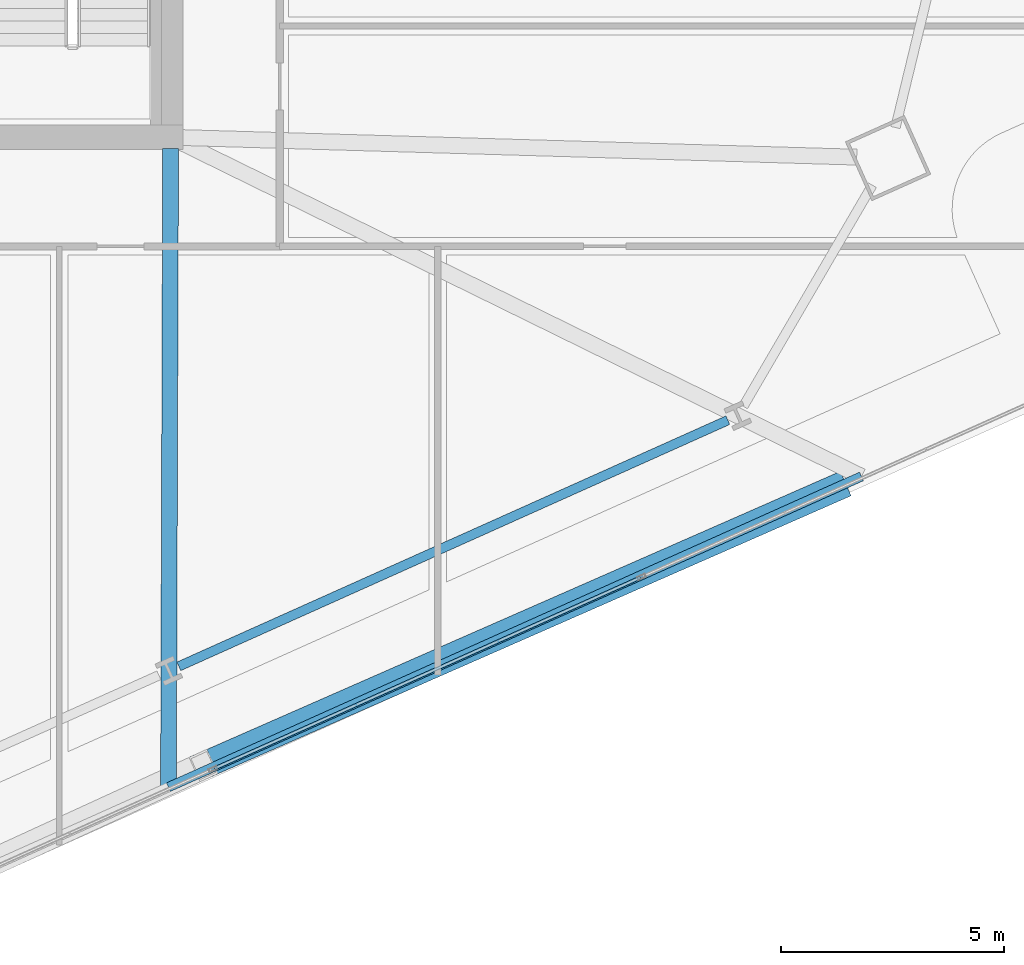
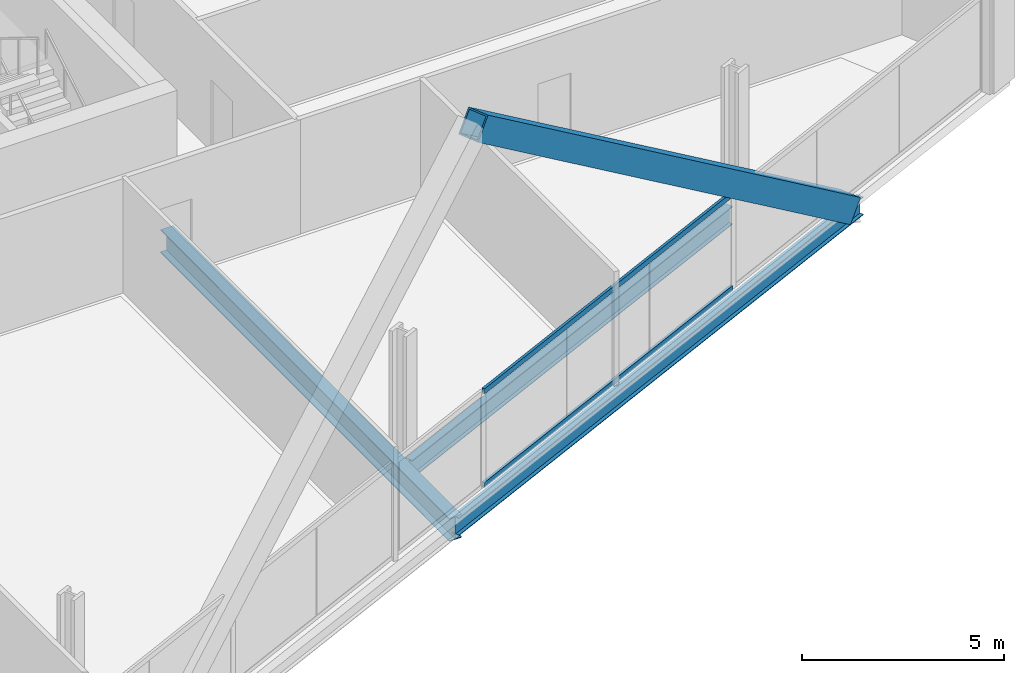
# One storey, part 9 of 38: 3 beams, 3 members, 1 element without a shape of its own.
"""IFC4 building model written with IfcOpenShell, lengths in metres."""

from ifc_helpers import new_model, si_unit, direction, frame, origin, origin_2d, place, context, subcontext, project, spatial, hollow_rectangle, i_section, extrude, material, material_profile, profile_set, type_object, element, aggregate, save


model = new_model("IFC4")

# Units and contexts
model_context = context("Model", 3, precision=1e-05, world=origin(), true_north=direction((0.0, 1.0)))
body_context = subcontext(model_context, "Body", "Model", "MODEL_VIEW")
ifc_project = project(units=[si_unit("LENGTHUNIT", "METRE"), si_unit("AREAUNIT", "SQUARE_METRE"), si_unit("VOLUMEUNIT", "CUBIC_METRE"), si_unit("PLANEANGLEUNIT", "RADIAN"), si_unit("MASSUNIT", "GRAM", prefix="KILO")], contexts=[model_context])

# Site, building, storey
site_placement = place(None, origin())
site = spatial("IfcSite", under=ifc_project, at=site_placement, CompositionType="ELEMENT")
building_placement = place(site_placement, origin())
building = spatial("IfcBuilding", under=site, at=building_placement, Name="Haldenkirk Collegiate Tower", CompositionType="ELEMENT")
storey_placement = place(building_placement, frame((0.0, 0.0, 109.199951171875)))
storey = spatial("IfcBuildingStorey", under=building, at=storey_placement, Name="L26", CompositionType="ELEMENT", Elevation=109.199951171875)

# Beams
ifc_material_1 = material(Name="Steel ASTM A992 Grade 50", Category="steel")
ifc_material_profile_1 = material_profile(ifc_material_1, i_section(OverallWidth=0.35498046875, OverallDepth=0.696044921875, WebThickness=0.015380859375, FlangeThickness=0.02490234375, at=origin_2d()), Name="W27X146")
ifc_profile_set_1 = profile_set([ifc_material_profile_1], Name="Steel ASTM A992 Grade 50")
beam_type_1 = type_object("IfcBeamType", Name="BM-GIRDER-W27X146", PredefinedType="BEAM", material=ifc_profile_set_1)
beam_1_placement = place(storey_placement, frame((44.951171875, 3.404541015625, -0.64794921875), z_axis=(0.003336776398, 0.999994432946, 0.0), x_axis=(-0.999994432946, 0.003336776398, 0.0)))
element("IfcBeam", 1, at=beam_1_placement, inside=storey, type_object=beam_type_1, Name="L26 primary floor girder 06", PredefinedType="BEAM", context=body_context, shape_type="SweptSolid", body=[
    extrude(i_section(OverallWidth=0.35498046875, OverallDepth=0.696044921875, WebThickness=0.015380859375, FlangeThickness=0.02490234375, at=origin_2d()), origin(), (0.0, 0.0, 1.0), 14.340576171875),
])
ifc_material_profile_2 = material_profile(ifc_material_1, i_section(OverallWidth=0.2119140625, OverallDepth=0.5439453125, WebThickness=0.01318359375, FlangeThickness=0.021240234375, at=origin_2d()), Name="W21X83")
ifc_profile_set_2 = profile_set([ifc_material_profile_2], Name="Steel ASTM A992 Grade 50")
beam_type_2 = type_object("IfcBeamType", Name="BM-SPANDREL-W21X83", PredefinedType="SPANDREL", material=ifc_profile_set_2)
beam_2_placement = place(storey_placement, frame((45.183837890625, 6.1171875, -0.572021484375), z_axis=(0.912476765144, 0.409128528793, 0.0), x_axis=(-0.409128528793, 0.912476765144, 0.0)))
element("IfcBeam", 2, at=beam_2_placement, inside=storey, type_object=beam_type_2, Name="L26 perimeter spandrel beam 03", PredefinedType="SPANDREL", context=body_context, shape_type="SweptSolid", body=[
    extrude(i_section(OverallWidth=0.2119140625, OverallDepth=0.5439453125, WebThickness=0.01318359375, FlangeThickness=0.021240234375, at=origin_2d()), origin(), (0.0, 0.0, 1.0), 13.512939453125),
])
beam_3_placement = place(storey_placement, frame((44.951171875, 3.404541015625, -0.572021484375), z_axis=(0.912478001972, 0.409125770292, 0.0), x_axis=(-0.409125770292, 0.912478001972, 0.0)))
element("IfcBeam", 3, at=beam_3_placement, inside=storey, type_object=beam_type_2, Name="L26 outer facade edge beam 1B", PredefinedType="SPANDREL", context=body_context, shape_type="SweptSolid", body=[
    extrude(i_section(OverallWidth=0.2119140625, OverallDepth=0.5439453125, WebThickness=0.01318359375, FlangeThickness=0.021240234375, at=origin_2d()), origin(), (0.0, 0.0, 1.0), 17.056640625),
])

# Curtain wall, members
ifc_material_2 = material(Name="Anodised architectural bronze aluminium", Category="aluminium")
curtain_wall_type = type_object("IfcCurtainWallType", Name="CW-SYS2-CONCAVE", PredefinedType="USERDEFINED", material=ifc_material_2)
curtain_wall_placement = place(storey_placement, origin())
curtain_wall = element("IfcCurtainWall", 4, at=curtain_wall_placement, inside=storey, type_object=curtain_wall_type, Name="L26 South concave recessed bronze-anodised curtain wall", ObjectType="UNITISED CURTAIN WALL", PredefinedType="USERDEFINED")
ifc_material_profile_3 = material_profile(ifc_material_2, hollow_rectangle(XDim=0.074951171875, YDim=0.159912109375, WallThickness=0.0048828125, at=origin_2d()), Name="CW-TRN-02")
ifc_profile_set_3 = profile_set([ifc_material_profile_3], Name="Anodised architectural bronze aluminium")
member_type_1 = type_object("IfcMemberType", Name="CW-TRN-02", PredefinedType="USERDEFINED", material=ifc_profile_set_3)
member_1_placement = place(storey_placement, frame((55.54248046875, 8.109375, 0.03759765625), z_axis=(-0.912478423301, -0.409124830595, 0.0), x_axis=(0.409124830595, -0.912478423301, 0.0)))
member_1 = element("IfcMember", 5, at=member_1_placement, type_object=member_type_1, Name="CW-02 transom 2.1", ObjectType="TRANSOM", PredefinedType="USERDEFINED", context=body_context, shape_type="SweptSolid", body=[
    extrude(hollow_rectangle(XDim=0.074951171875, YDim=0.159912109375, WallThickness=0.0048828125, at=origin_2d()), origin(), (0.0, 0.0, 1.0), 10.47509765625),
])
member_2_placement = place(storey_placement, frame((55.54248046875, 8.109375, 2.863525390625), z_axis=(-0.912478423301, -0.409124830595, 0.0), x_axis=(0.409124830595, -0.912478423301, 0.0)))
member_2 = element("IfcMember", 6, at=member_2_placement, type_object=member_type_1, Name="CW-02 transom 2.2", ObjectType="TRANSOM", PredefinedType="USERDEFINED", context=body_context, shape_type="SweptSolid", body=[
    extrude(hollow_rectangle(XDim=0.074951171875, YDim=0.159912109375, WallThickness=0.0048828125, at=origin_2d()), origin(), (0.0, 0.0, 1.0), 10.47509765625),
])
aggregate(curtain_wall, [member_1, member_2])

# Member
ifc_material_3 = material(Name="Steel ASTM A572 Grade 50", Category="steel")
ifc_material_profile_4 = material_profile(ifc_material_3, hollow_rectangle(XDim=0.60009765625, YDim=0.719970703125, WallThickness=0.044921875, at=origin_2d()), Name="BOX720X600X45")
ifc_profile_set_4 = profile_set([ifc_material_profile_4], Name="Steel ASTM A572 Grade 50")
member_type_2 = type_object("IfcMemberType", Name="MBR-MEGABRACE-BOX720X600X45", PredefinedType="BRACE", material=ifc_profile_set_4)
member_3_placement = place(storey_placement, frame((59.967529296875, 10.137451171875, -0.31005859375), z_axis=(-0.741665768419, -0.325589185144, 0.586449972694), x_axis=(0.401969177429, -0.915653198759, 0.0)))
element("IfcMember", 7, at=member_3_placement, inside=storey, type_object=member_type_2, Name="Perimeter Mega Brace Z2 L26-L28 SR", PredefinedType="BRACE", context=body_context, shape_type="SweptSolid", body=[
    extrude(hollow_rectangle(XDim=0.60009765625, YDim=0.719970703125, WallThickness=0.044921875, at=origin_2d()), origin(), (0.0, 0.0, 1.0), 19.18310546875),
])

save(model, "model.ifc")
